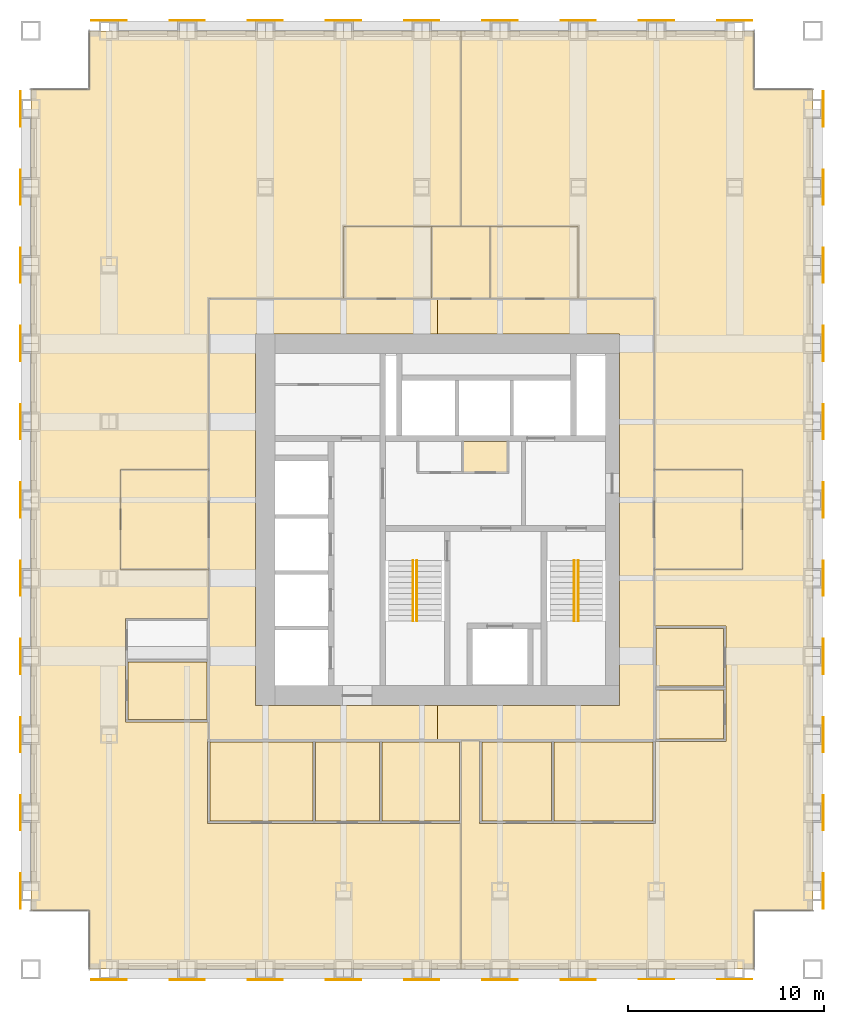
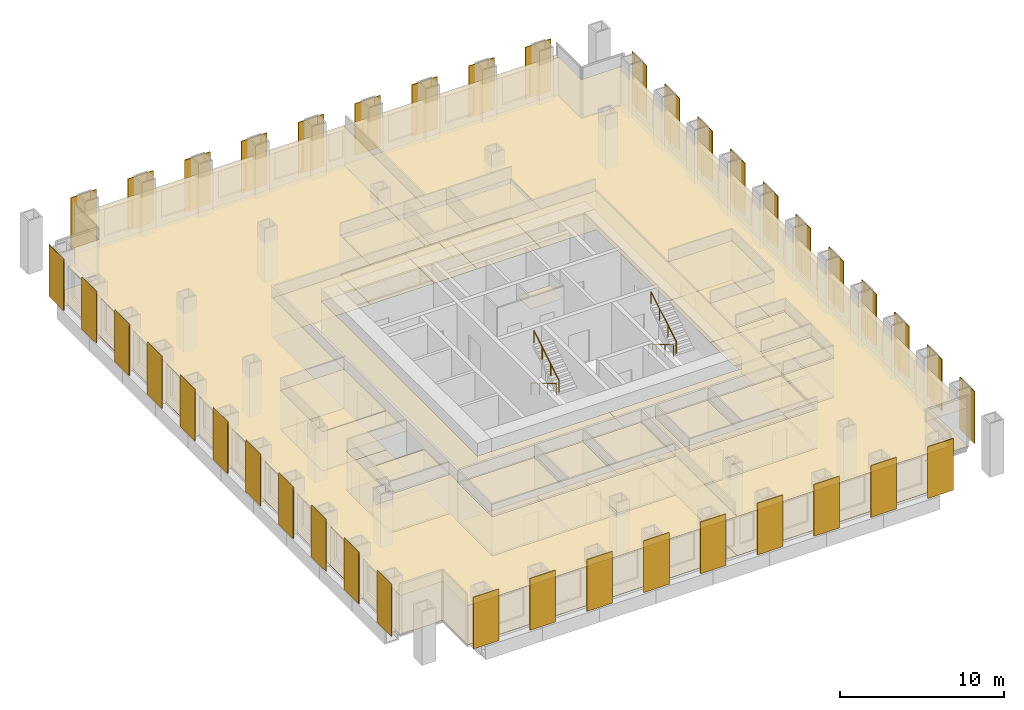
# One storey, part 12 of 12: 40 shading devices, 33 coverings, 4 railings.
"""IFC4 building model written with IfcOpenShell, lengths in metres."""

import ifcopenshell
import ifcopenshell.guid

model = None  # the IFC model being written
_history = None  # IfcOwnerHistory: only IFC2X3 demands one
_inside = {}  # id of a spatial element -> (the spatial element, [elements in it])
_under = {}  # id of a project, library or spatial element -> (it, [spatial elements below it])
_declared = {}  # id of a project -> (the project, [libraries it declares])
_typed = {}  # id of a type object -> (the type object, [elements of that type])
_made_of = {}  # id of a material, layer set ... -> (it, [elements and type objects made of it])


def new_model(schema):
    """Start an empty IFC model of exactly this schema.

    Asked for "IFC4X3", IfcOpenShell would pick the latest addendum, in which some entities
    have other attributes; the version numbers below select the first issue.
    IFC2X3 requires an IfcOwnerHistory on every rooted entity: one is made here for all.
    """
    global model, _history
    if schema == "IFC4X3":
        model = ifcopenshell.file(schema_version=(4, 3, 0, 0))
    else:
        model = ifcopenshell.file(schema=schema)
    _inside.clear()
    _under.clear()
    _declared.clear()
    _typed.clear()
    _made_of.clear()
    _history = None
    if model.schema == "IFC2X3":
        org = make("IfcOrganization", Name="unknown")
        user = make(
            "IfcPersonAndOrganization",
            ThePerson=make("IfcPerson", FamilyName="unknown"),
            TheOrganization=org,
        )
        app = make(
            "IfcApplication",
            ApplicationDeveloper=org,
            Version="unknown",
            ApplicationFullName="unknown",
            ApplicationIdentifier="unknown",
        )
        _history = make(
            "IfcOwnerHistory",
            OwningUser=user,
            OwningApplication=app,
            ChangeAction="ADDED",
            CreationDate=0,
        )
    return model


def make(cls, **values):
    """One entity of the class cls with the attributes given. An attribute that is None is left unset."""
    return model.create_entity(
        cls, **{name: value for name, value in values.items() if value is not None}
    )


def rooted(cls, **values):
    """An entity with a GlobalId (a new one), such as an element, a storey or a relation."""
    return make(cls, GlobalId=ifcopenshell.guid.new(), OwnerHistory=_history, **values)


def si_unit(unit_type, name, prefix=None):
    """IfcSIUnit, for example si_unit("LENGTHUNIT", "METRE", prefix="MILLI")."""
    return make("IfcSIUnit", UnitType=unit_type, Prefix=prefix, Name=name)


def assignment(units):
    """IfcUnitAssignment: the units of a project."""
    return None if units is None else make("IfcUnitAssignment", Units=units)


def point(xyz):
    """IfcCartesianPoint."""
    return None if xyz is None else make("IfcCartesianPoint", Coordinates=xyz)


def direction(xyz):
    """IfcDirection."""
    return None if xyz is None else make("IfcDirection", DirectionRatios=xyz)


def frame(location, z_axis=None, x_axis=None):
    """IfcAxis2Placement3D, a coordinate frame: its origin and axes. An axis left out is left unset."""
    return make(
        "IfcAxis2Placement3D",
        Location=point(location),
        Axis=direction(z_axis),
        RefDirection=direction(x_axis),
    )


def frame_2d(location, x_axis=None):
    """IfcAxis2Placement2D, a coordinate frame in the plane: its origin and x axis."""
    return make(
        "IfcAxis2Placement2D", Location=point(location), RefDirection=direction(x_axis)
    )


def origin():
    """The frame at (0, 0, 0) with its axes left unset."""
    return frame((0.0, 0.0, 0.0))


def origin_2d():
    """The frame at (0, 0) in the plane with its x axis left unset."""
    return frame_2d((0.0, 0.0))


def place(relative_to, where):
    """IfcLocalPlacement: puts the frame where relative to a parent placement (None: the world)."""
    return make(
        "IfcLocalPlacement", PlacementRelTo=relative_to, RelativePlacement=where
    )


def context(
    kind, dimensions, precision=None, world=None, true_north=None, identifier=None
):
    """IfcGeometricRepresentationContext, for example the 3D "Model" context."""
    return make(
        "IfcGeometricRepresentationContext",
        ContextIdentifier=identifier,
        ContextType=kind,
        CoordinateSpaceDimension=dimensions,
        Precision=precision,
        WorldCoordinateSystem=world,
        TrueNorth=true_north,
    )


def subcontext(parent, identifier, kind, view, scale=None):
    """IfcGeometricRepresentationSubContext, for example "Body" below "Model"."""
    return make(
        "IfcGeometricRepresentationSubContext",
        ContextIdentifier=identifier,
        ContextType=kind,
        ParentContext=parent,
        TargetScale=scale,
        TargetView=view,
    )


def project(units=None, contexts=None):
    """IfcProject with its units and contexts."""
    return rooted(
        "IfcProject",
        Name="project",
        RepresentationContexts=contexts,
        UnitsInContext=assignment(units),
    )


def spatial(cls, under=None, at=None, **own):
    """A site, building, storey or space (cls), placed at a placement, below another one or the project."""
    s = rooted(cls, ObjectPlacement=at, **own)
    if under is not None:
        _under.setdefault(under.id(), (under, []))[1].append(s)
    return s


def polyline(points):
    """IfcPolyline through the points."""
    return make("IfcPolyline", Points=[point(p) for p in points])


def profile(cls, at=None, kind="AREA", **sizes):
    """A parametric profile (cls). Its sizes go by their IFC names, for example OverallWidth=200.0."""
    return make(cls, ProfileType=kind, Position=at, **sizes)


def rectangle(**sizes):
    """IfcRectangleProfileDef."""
    return profile("IfcRectangleProfileDef", **sizes)


def circle(**sizes):
    """IfcCircleProfileDef."""
    return profile("IfcCircleProfileDef", **sizes)


def outline(outer, holes=None, kind="AREA"):
    """IfcArbitraryClosedProfileDef: a profile drawn as a closed curve; with holes, ...WithVoids."""
    if holes is None:
        return make("IfcArbitraryClosedProfileDef", ProfileType=kind, OuterCurve=outer)
    return make(
        "IfcArbitraryProfileDefWithVoids",
        ProfileType=kind,
        OuterCurve=outer,
        InnerCurves=holes,
    )


def extrude(swept, where, along, depth):
    """IfcExtrudedAreaSolid: the profile swept, set in the frame where, extruded along a direction by depth."""
    return make(
        "IfcExtrudedAreaSolid",
        SweptArea=swept,
        Position=where,
        ExtrudedDirection=direction(along),
        Depth=depth,
    )


def shape(context_of_items, identifier, shape_type, items):
    """IfcShapeRepresentation: the items that make up one representation, for example the "Body"."""
    return make(
        "IfcShapeRepresentation",
        ContextOfItems=context_of_items,
        RepresentationIdentifier=identifier,
        RepresentationType=shape_type,
        Items=items,
    )


def material(Name=None, Category=None):
    """IfcMaterial."""
    return make("IfcMaterial", Name=Name, Category=Category)


def layer(
    of_material, thickness, ventilated=None, Name=None, Category=None, Priority=None
):
    """IfcMaterialLayer: one layer of a wall or slab, of a material (None: an air gap)."""
    return make(
        "IfcMaterialLayer",
        Material=of_material,
        LayerThickness=thickness,
        IsVentilated=ventilated,
        Name=Name,
        Category=Category,
        Priority=Priority,
    )


def layer_set(layers, Name=None):
    """IfcMaterialLayerSet."""
    return make("IfcMaterialLayerSet", MaterialLayers=layers, LayerSetName=Name)


def made_of(thing, what):
    """Note that an element or type object is made of a material, layer set ...; save() writes the relation."""
    if what is not None:
        _made_of.setdefault(what.id(), (what, []))[1].append(thing)
    return thing


def type_object(cls, material=None, **own):
    """A type object (cls), such as IfcWallType, which elements share."""
    return made_of(rooted(cls, **own), material)


def element(
    cls,
    number,
    at=None,
    inside=None,
    cuts=None,
    type_object=None,
    material=None,
    context=None,
    identifier="Body",
    shape_type=None,
    held_by="IfcProductDefinitionShape",
    body=None,
    shapes=None,
    **own,
):
    """One element of the class cls, such as IfcWall. Its Tag is "e" and its number.

    at: its placement. inside: the storey or other place that contains it. cuts: it is an
    opening in that element (IfcRelVoidsElement). A single representation is given by context,
    identifier, shape_type and body (its items); several are given by shapes. held_by: the class
    of the entity that holds the representations. save() writes the other relations.
    """
    e = rooted(cls, Tag="e%d" % number, ObjectPlacement=at, **own)
    if body is not None:
        shapes = [shape(context, identifier, shape_type, body)]
    if shapes is not None:
        e.Representation = make(held_by, Representations=shapes)
    if inside is not None:
        _inside.setdefault(inside.id(), (inside, []))[1].append(e)
    if cuts is not None:
        rooted(
            "IfcRelVoidsElement", RelatingBuildingElement=cuts, RelatedOpeningElement=e
        )
    if type_object is not None:
        _typed.setdefault(type_object.id(), (type_object, []))[1].append(e)
    return made_of(e, material)


def aggregate(whole, parts):
    """IfcRelAggregates: a whole, such as a stair, and the parts it consists of."""
    return rooted("IfcRelAggregates", RelatingObject=whole, RelatedObjects=parts)


def save(model, path):
    """Write the relations noted so far, then the file.

    IfcRelAggregates (storeys below a building ...), IfcRelContainedInSpatialStructure (elements
    in a storey), IfcRelDefinesByType, IfcRelAssociatesMaterial and IfcRelDeclares: one each for
    every whole, place, type object, material and project.
    """
    for whole, parts in _under.values():
        aggregate(whole, parts)
    for where, things in _inside.values():
        rooted(
            "IfcRelContainedInSpatialStructure",
            RelatedElements=things,
            RelatingStructure=where,
        )
    for kind, things in _typed.values():
        rooted("IfcRelDefinesByType", RelatedObjects=things, RelatingType=kind)
    for what, things in _made_of.values():
        rooted("IfcRelAssociatesMaterial", RelatedObjects=things, RelatingMaterial=what)
    for by, libraries in _declared.values():
        rooted("IfcRelDeclares", RelatingContext=by, RelatedDefinitions=libraries)
    model.write(path)


model = new_model("IFC4")

# Units and contexts
model_context = context("Model", 3, precision=1e-05, world=origin(), true_north=direction((0.0, 1.0)))
body_context = subcontext(model_context, "Body", "Model", "MODEL_VIEW")
ifc_project = project(units=[si_unit("LENGTHUNIT", "METRE"), si_unit("AREAUNIT", "SQUARE_METRE"), si_unit("VOLUMEUNIT", "CUBIC_METRE"), si_unit("PLANEANGLEUNIT", "RADIAN"), si_unit("MASSUNIT", "GRAM", prefix="KILO")], contexts=[model_context])

# Site, building, storey
site_placement = place(None, origin())
site = spatial("IfcSite", under=ifc_project, at=site_placement, CompositionType="ELEMENT")
building_placement = place(site_placement, origin())
building = spatial("IfcBuilding", under=site, at=building_placement, Name="Rimbunsela Tower", CompositionType="ELEMENT")
storey_placement = place(building_placement, frame((0.0, 0.0, 151.800048828125)))
storey = spatial("IfcBuildingStorey", under=building, at=storey_placement, Name="L36", CompositionType="ELEMENT", Elevation=151.800048828125)

# Coverings
ifc_material_1 = material(Name="Nylon carpet tile", Category="textile")
ifc_layer_1 = layer(ifc_material_1, 0.010009765625)
ifc_layer_set_1 = layer_set([ifc_layer_1], Name="Carpet tile 10")
covering_type_1 = type_object("IfcCoveringType", Name="Carpet tile 10", PredefinedType="FLOORING", material=ifc_layer_set_1)
covering_1_placement = place(storey_placement, origin())
element("IfcCovering", 1, at=covering_1_placement, inside=storey, type_object=covering_type_1, Name="Floor finish Open office", PredefinedType="FLOORING", context=body_context, shape_type="SweptSolid", body=[
    extrude(outline(polyline([(20.550048828125, 11.449951171875), (23.85009765625, 11.449951171875), (23.949951171875, 11.449951171875), (27.9990234375, 11.449951171875), (27.9990234375, 4.0), (15.10009765625, 4.0), (9.0, 4.0), (9.0, 7.0), (6.0, 7.0), (6.0, 49.0), (9.0, 49.0), (9.0, 52.0), (15.10009765625, 52.0), (27.9990234375, 52.0), (27.9990234375, 42.0), (22.0, 42.0), (22.0, 38.300048828125), (15.10009765625, 38.300048828125), (15.10009765625, 29.550048828125), (10.60009765625, 29.550048828125), (10.60009765625, 24.449951171875), (15.10009765625, 24.449951171875), (15.10009765625, 21.949951171875), (10.85009765625, 21.949951171875), (10.85009765625, 19.85009765625), (10.85009765625, 19.75), (10.85009765625, 16.64990234375), (15.10009765625, 16.64990234375), (15.10009765625, 15.75), (15.050048828125, 15.75), (15.050048828125, 11.449951171875), (15.10009765625, 11.449951171875), (20.449951171875, 11.449951171875), (20.550048828125, 11.449951171875)])), origin(), (0.0, 0.0, 1.0), 0.010009765625),
])
covering_2_placement = place(storey_placement, origin())
element("IfcCovering", 2, at=covering_2_placement, inside=storey, type_object=covering_type_1, Name="Floor finish Open office", PredefinedType="FLOORING", context=body_context, shape_type="SweptSolid", body=[
    extrude(outline(polyline([(28.0009765625, 15.699951171875), (28.948974609375, 15.699951171875), (28.948974609375, 11.449951171875), (32.64892578125, 11.449951171875), (32.7490234375, 11.449951171875), (37.89990234375, 11.449951171875), (37.949951171875, 11.449951171875), (37.949951171875, 15.64990234375), (41.550048828125, 15.64990234375), (41.550048828125, 18.35009765625), (41.550048828125, 18.39990234375), (41.550048828125, 21.550048828125), (37.89990234375, 21.550048828125), (37.89990234375, 24.449951171875), (42.39990234375, 24.449951171875), (42.39990234375, 29.550048828125), (37.89990234375, 29.550048828125), (37.89990234375, 38.300048828125), (34.0, 38.300048828125), (34.0, 42.0), (28.0009765625, 42.0), (28.0009765625, 52.0), (37.89990234375, 52.0), (43.0, 52.0), (43.0, 49.0), (46.0, 49.0), (46.0, 7.0), (43.0, 7.0), (43.0, 4.0), (37.89990234375, 4.0), (28.0009765625, 4.0), (28.0009765625, 15.699951171875)])), origin(), (0.0, 0.0, 1.0), 0.010009765625),
])
covering_3_placement = place(storey_placement, origin())
element("IfcCovering", 3, at=covering_3_placement, inside=storey, type_object=covering_type_1, Name="Floor finish Reception", PredefinedType="FLOORING", context=body_context, shape_type="SweptSolid", body=[
    extrude(outline(polyline([(15.10009765625, 24.449951171875), (15.10009765625, 29.550048828125), (10.60009765625, 29.550048828125), (10.60009765625, 24.449951171875), (15.10009765625, 24.449951171875)])), origin(), (0.0, 0.0, 1.0), 0.010009765625),
])
covering_4_placement = place(storey_placement, origin())
element("IfcCovering", 4, at=covering_4_placement, inside=storey, type_object=covering_type_1, Name="Floor finish Reception", PredefinedType="FLOORING", context=body_context, shape_type="SweptSolid", body=[
    extrude(outline(polyline([(42.39990234375, 24.449951171875), (42.39990234375, 29.550048828125), (37.89990234375, 29.550048828125), (37.89990234375, 24.449951171875), (42.39990234375, 24.449951171875)])), origin(), (0.0, 0.0, 1.0), 0.010009765625),
])
covering_5_placement = place(storey_placement, origin())
element("IfcCovering", 5, at=covering_5_placement, inside=storey, type_object=covering_type_1, Name="Floor finish Meeting room", PredefinedType="FLOORING", context=body_context, shape_type="SweptSolid", body=[
    extrude(outline(polyline([(20.425048828125, 11.574951171875), (20.425048828125, 15.625), (15.175048828125, 15.625), (15.175048828125, 11.574951171875), (20.425048828125, 11.574951171875)])), origin(), (0.0, 0.0, 1.0), 0.010009765625),
])
covering_6_placement = place(storey_placement, origin())
element("IfcCovering", 6, at=covering_6_placement, inside=storey, type_object=covering_type_1, Name="Floor finish Pantry", PredefinedType="FLOORING", context=body_context, shape_type="SweptSolid", body=[
    extrude(outline(polyline([(23.824951171875, 11.574951171875), (23.824951171875, 15.625), (20.574951171875, 15.625), (20.574951171875, 11.574951171875), (23.824951171875, 11.574951171875)])), origin(), (0.0, 0.0, 1.0), 0.010009765625),
])
covering_7_placement = place(storey_placement, origin())
element("IfcCovering", 7, at=covering_7_placement, inside=storey, type_object=covering_type_1, Name="Floor finish Print and copy room", PredefinedType="FLOORING", context=body_context, shape_type="SweptSolid", body=[
    extrude(outline(polyline([(27.924072265625, 11.574951171875), (27.924072265625, 15.625), (23.97509765625, 15.625), (23.97509765625, 11.574951171875), (27.924072265625, 11.574951171875)])), origin(), (0.0, 0.0, 1.0), 0.010009765625),
])
covering_8_placement = place(storey_placement, origin())
element("IfcCovering", 8, at=covering_8_placement, inside=storey, type_object=covering_type_1, Name="Floor finish Office", PredefinedType="FLOORING", context=body_context, shape_type="SweptSolid", body=[
    extrude(outline(polyline([(15.02490234375, 16.77490234375), (15.02490234375, 19.72509765625), (10.97509765625, 19.72509765625), (10.97509765625, 16.77490234375), (15.02490234375, 16.77490234375)])), origin(), (0.0, 0.0, 1.0), 0.010009765625),
])
covering_9_placement = place(storey_placement, origin())
element("IfcCovering", 9, at=covering_9_placement, inside=storey, type_object=covering_type_1, Name="Floor finish Meeting room", PredefinedType="FLOORING", context=body_context, shape_type="SweptSolid", body=[
    extrude(outline(polyline([(32.6240234375, 11.574951171875), (32.6240234375, 15.625), (29.073974609375, 15.625), (29.073974609375, 11.574951171875), (32.6240234375, 11.574951171875)])), origin(), (0.0, 0.0, 1.0), 0.010009765625),
])
covering_10_placement = place(storey_placement, origin())
element("IfcCovering", 10, at=covering_10_placement, inside=storey, type_object=covering_type_1, Name="Floor finish Pantry", PredefinedType="FLOORING", context=body_context, shape_type="SweptSolid", body=[
    extrude(outline(polyline([(37.824951171875, 11.574951171875), (37.824951171875, 15.625), (32.77392578125, 15.625), (32.77392578125, 11.574951171875), (37.824951171875, 11.574951171875)])), origin(), (0.0, 0.0, 1.0), 0.010009765625),
])
covering_11_placement = place(storey_placement, origin())
element("IfcCovering", 11, at=covering_11_placement, inside=storey, type_object=covering_type_1, Name="Floor finish Print and copy room", PredefinedType="FLOORING", context=body_context, shape_type="SweptSolid", body=[
    extrude(outline(polyline([(41.425048828125, 15.77490234375), (41.425048828125, 18.27490234375), (37.97509765625, 18.27490234375), (37.97509765625, 15.77490234375), (41.425048828125, 15.77490234375)])), origin(), (0.0, 0.0, 1.0), 0.010009765625),
])
covering_12_placement = place(storey_placement, origin())
element("IfcCovering", 12, at=covering_12_placement, inside=storey, type_object=covering_type_1, Name="Floor finish Office", PredefinedType="FLOORING", context=body_context, shape_type="SweptSolid", body=[
    extrude(outline(polyline([(41.425048828125, 18.47509765625), (41.425048828125, 21.425048828125), (37.97509765625, 21.425048828125), (37.97509765625, 18.47509765625), (41.425048828125, 18.47509765625)])), origin(), (0.0, 0.0, 1.0), 0.010009765625),
])
ifc_material_2 = material(Name="Mineral fibre ceiling tile", Category="gypsum")
ifc_layer_2 = layer(ifc_material_2, 0.02001953125)
ifc_layer_set_2 = layer_set([ifc_layer_2], Name="Ceiling 600 grid")
covering_type_2 = type_object("IfcCoveringType", Name="Ceiling 600 grid", PredefinedType="CEILING", material=ifc_layer_set_2)
covering_13_placement = place(storey_placement, frame((0.0, 0.0, 2.89990234375)))
element("IfcCovering", 13, at=covering_13_placement, inside=storey, type_object=covering_type_2, Name="Ceiling IT room", PredefinedType="CEILING", context=body_context, shape_type="SweptSolid", body=[
    extrude(outline(polyline([(30.39990234375, 29.39990234375), (30.39990234375, 31.0), (28.10009765625, 31.0), (28.10009765625, 29.39990234375), (30.39990234375, 29.39990234375)])), origin(), (0.0, 0.0, 1.0), 0.02001953125),
])
covering_14_placement = place(storey_placement, frame((0.0, 0.0, 2.89990234375)))
element("IfcCovering", 14, at=covering_14_placement, inside=storey, type_object=covering_type_2, Name="Ceiling Ring corridor", PredefinedType="CEILING", context=body_context, shape_type="SweptSolid", body=[
    extrude(outline(polyline([(15.10009765625, 38.300048828125), (26.800048828125, 38.300048828125), (26.800048828125, 36.5), (17.5, 36.5), (17.5, 17.5), (26.800048828125, 17.5), (26.800048828125, 15.699951171875), (15.10009765625, 15.699951171875), (15.10009765625, 38.300048828125)])), origin(), (0.0, 0.0, 1.0), 0.02001953125),
])
covering_15_placement = place(storey_placement, frame((0.0, 0.0, 2.89990234375)))
element("IfcCovering", 15, at=covering_15_placement, inside=storey, type_object=covering_type_2, Name="Ceiling Ring corridor", PredefinedType="CEILING", context=body_context, shape_type="SweptSolid", body=[
    extrude(outline(polyline([(37.89990234375, 38.300048828125), (37.89990234375, 15.699951171875), (26.800048828125, 15.699951171875), (26.800048828125, 17.5), (36.10009765625, 17.5), (36.10009765625, 36.5), (26.800048828125, 36.5), (26.800048828125, 38.300048828125), (37.89990234375, 38.300048828125)])), origin(), (0.0, 0.0, 1.0), 0.02001953125),
])
covering_16_placement = place(storey_placement, frame((0.0, 0.0, 2.89990234375)))
element("IfcCovering", 16, at=covering_16_placement, inside=storey, type_object=covering_type_2, Name="Ceiling Open office", PredefinedType="CEILING", context=body_context, shape_type="SweptSolid", body=[
    extrude(outline(polyline([(20.550048828125, 11.449951171875), (23.85009765625, 11.449951171875), (23.949951171875, 11.449951171875), (27.9990234375, 11.449951171875), (27.9990234375, 4.0), (15.10009765625, 4.0), (9.0, 4.0), (9.0, 7.0), (6.0, 7.0), (6.0, 49.0), (9.0, 49.0), (9.0, 52.0), (15.10009765625, 52.0), (27.9990234375, 52.0), (27.9990234375, 42.0), (22.0, 42.0), (22.0, 38.300048828125), (15.10009765625, 38.300048828125), (15.10009765625, 29.550048828125), (10.60009765625, 29.550048828125), (10.60009765625, 24.449951171875), (15.10009765625, 24.449951171875), (15.10009765625, 21.949951171875), (10.85009765625, 21.949951171875), (10.85009765625, 19.85009765625), (10.85009765625, 19.75), (10.85009765625, 16.64990234375), (15.10009765625, 16.64990234375), (15.10009765625, 15.75), (15.050048828125, 15.75), (15.050048828125, 11.449951171875), (15.10009765625, 11.449951171875), (20.449951171875, 11.449951171875), (20.550048828125, 11.449951171875)])), origin(), (0.0, 0.0, 1.0), 0.02001953125),
])
covering_17_placement = place(storey_placement, frame((0.0, 0.0, 2.89990234375)))
element("IfcCovering", 17, at=covering_17_placement, inside=storey, type_object=covering_type_2, Name="Ceiling Open office", PredefinedType="CEILING", context=body_context, shape_type="SweptSolid", body=[
    extrude(outline(polyline([(28.0009765625, 15.699951171875), (28.948974609375, 15.699951171875), (28.948974609375, 11.449951171875), (32.64892578125, 11.449951171875), (32.7490234375, 11.449951171875), (37.89990234375, 11.449951171875), (37.949951171875, 11.449951171875), (37.949951171875, 15.64990234375), (41.550048828125, 15.64990234375), (41.550048828125, 18.35009765625), (41.550048828125, 18.39990234375), (41.550048828125, 21.550048828125), (37.89990234375, 21.550048828125), (37.89990234375, 24.449951171875), (42.39990234375, 24.449951171875), (42.39990234375, 29.550048828125), (37.89990234375, 29.550048828125), (37.89990234375, 38.300048828125), (34.0, 38.300048828125), (34.0, 42.0), (28.0009765625, 42.0), (28.0009765625, 52.0), (37.89990234375, 52.0), (43.0, 52.0), (43.0, 49.0), (46.0, 49.0), (46.0, 7.0), (43.0, 7.0), (43.0, 4.0), (37.89990234375, 4.0), (28.0009765625, 4.0), (28.0009765625, 15.699951171875)])), origin(), (0.0, 0.0, 1.0), 0.02001953125),
])
covering_18_placement = place(storey_placement, frame((0.0, 0.0, 2.89990234375)))
element("IfcCovering", 18, at=covering_18_placement, inside=storey, type_object=covering_type_2, Name="Ceiling Reception", PredefinedType="CEILING", context=body_context, shape_type="SweptSolid", body=[
    extrude(outline(polyline([(15.10009765625, 24.449951171875), (15.10009765625, 29.550048828125), (10.60009765625, 29.550048828125), (10.60009765625, 24.449951171875), (15.10009765625, 24.449951171875)])), origin(), (0.0, 0.0, 1.0), 0.02001953125),
])
covering_19_placement = place(storey_placement, frame((0.0, 0.0, 2.89990234375)))
element("IfcCovering", 19, at=covering_19_placement, inside=storey, type_object=covering_type_2, Name="Ceiling Reception", PredefinedType="CEILING", context=body_context, shape_type="SweptSolid", body=[
    extrude(outline(polyline([(42.39990234375, 24.449951171875), (42.39990234375, 29.550048828125), (37.89990234375, 29.550048828125), (37.89990234375, 24.449951171875), (42.39990234375, 24.449951171875)])), origin(), (0.0, 0.0, 1.0), 0.02001953125),
])
covering_20_placement = place(storey_placement, frame((0.0, 0.0, 2.89990234375)))
element("IfcCovering", 20, at=covering_20_placement, inside=storey, type_object=covering_type_2, Name="Ceiling Meeting room", PredefinedType="CEILING", context=body_context, shape_type="SweptSolid", body=[
    extrude(outline(polyline([(20.425048828125, 11.574951171875), (20.425048828125, 15.625), (15.175048828125, 15.625), (15.175048828125, 11.574951171875), (20.425048828125, 11.574951171875)])), origin(), (0.0, 0.0, 1.0), 0.02001953125),
])
covering_21_placement = place(storey_placement, frame((0.0, 0.0, 2.89990234375)))
element("IfcCovering", 21, at=covering_21_placement, inside=storey, type_object=covering_type_2, Name="Ceiling Pantry", PredefinedType="CEILING", context=body_context, shape_type="SweptSolid", body=[
    extrude(outline(polyline([(23.824951171875, 11.574951171875), (23.824951171875, 15.625), (20.574951171875, 15.625), (20.574951171875, 11.574951171875), (23.824951171875, 11.574951171875)])), origin(), (0.0, 0.0, 1.0), 0.02001953125),
])
covering_22_placement = place(storey_placement, frame((0.0, 0.0, 2.89990234375)))
element("IfcCovering", 22, at=covering_22_placement, inside=storey, type_object=covering_type_2, Name="Ceiling Print and copy room", PredefinedType="CEILING", context=body_context, shape_type="SweptSolid", body=[
    extrude(outline(polyline([(27.924072265625, 11.574951171875), (27.924072265625, 15.625), (23.97509765625, 15.625), (23.97509765625, 11.574951171875), (27.924072265625, 11.574951171875)])), origin(), (0.0, 0.0, 1.0), 0.02001953125),
])
covering_23_placement = place(storey_placement, frame((0.0, 0.0, 2.89990234375)))
element("IfcCovering", 23, at=covering_23_placement, inside=storey, type_object=covering_type_2, Name="Ceiling Office", PredefinedType="CEILING", context=body_context, shape_type="SweptSolid", body=[
    extrude(outline(polyline([(15.02490234375, 16.77490234375), (15.02490234375, 19.72509765625), (10.97509765625, 19.72509765625), (10.97509765625, 16.77490234375), (15.02490234375, 16.77490234375)])), origin(), (0.0, 0.0, 1.0), 0.02001953125),
])
covering_24_placement = place(storey_placement, frame((0.0, 0.0, 2.89990234375)))
element("IfcCovering", 24, at=covering_24_placement, inside=storey, type_object=covering_type_2, Name="Ceiling Meeting room", PredefinedType="CEILING", context=body_context, shape_type="SweptSolid", body=[
    extrude(outline(polyline([(32.6240234375, 11.574951171875), (32.6240234375, 15.625), (29.073974609375, 15.625), (29.073974609375, 11.574951171875), (32.6240234375, 11.574951171875)])), origin(), (0.0, 0.0, 1.0), 0.02001953125),
])
covering_25_placement = place(storey_placement, frame((0.0, 0.0, 2.89990234375)))
element("IfcCovering", 25, at=covering_25_placement, inside=storey, type_object=covering_type_2, Name="Ceiling Pantry", PredefinedType="CEILING", context=body_context, shape_type="SweptSolid", body=[
    extrude(outline(polyline([(37.824951171875, 11.574951171875), (37.824951171875, 15.625), (32.77392578125, 15.625), (32.77392578125, 11.574951171875), (37.824951171875, 11.574951171875)])), origin(), (0.0, 0.0, 1.0), 0.02001953125),
])
covering_26_placement = place(storey_placement, frame((0.0, 0.0, 2.89990234375)))
element("IfcCovering", 26, at=covering_26_placement, inside=storey, type_object=covering_type_2, Name="Ceiling Print and copy room", PredefinedType="CEILING", context=body_context, shape_type="SweptSolid", body=[
    extrude(outline(polyline([(41.425048828125, 15.77490234375), (41.425048828125, 18.27490234375), (37.97509765625, 18.27490234375), (37.97509765625, 15.77490234375), (41.425048828125, 15.77490234375)])), origin(), (0.0, 0.0, 1.0), 0.02001953125),
])
covering_27_placement = place(storey_placement, frame((0.0, 0.0, 2.89990234375)))
element("IfcCovering", 27, at=covering_27_placement, inside=storey, type_object=covering_type_2, Name="Ceiling Office", PredefinedType="CEILING", context=body_context, shape_type="SweptSolid", body=[
    extrude(outline(polyline([(41.425048828125, 18.47509765625), (41.425048828125, 21.425048828125), (37.97509765625, 21.425048828125), (37.97509765625, 18.47509765625), (41.425048828125, 18.47509765625)])), origin(), (0.0, 0.0, 1.0), 0.02001953125),
])
ifc_material_3 = material(Name="Moisture-resistant plasterboard ceiling", Category="gypsum")
ifc_layer_3 = layer(ifc_material_3, 0.012451171875)
ifc_layer_set_3 = layer_set([ifc_layer_3], Name="Ceiling moisture-resistant board")
covering_type_3 = type_object("IfcCoveringType", Name="Ceiling moisture-resistant board", PredefinedType="CEILING", material=ifc_layer_set_3)
covering_28_placement = place(storey_placement, frame((0.0, 0.0, 2.599853515625)))
element("IfcCovering", 28, at=covering_28_placement, inside=storey, type_object=covering_type_3, Name="Ceiling Female WC", PredefinedType="CEILING", context=body_context, shape_type="SweptSolid", body=[
    extrude(outline(polyline([(26.5, 38.300048828125), (26.5, 42.0), (22.0, 42.0), (22.0, 38.300048828125), (26.5, 38.300048828125)])), origin(), (0.0, 0.0, 1.0), 0.02001953125),
])
covering_29_placement = place(storey_placement, frame((0.0, 0.0, 2.599853515625)))
element("IfcCovering", 29, at=covering_29_placement, inside=storey, type_object=covering_type_3, Name="Ceiling Accessible WC", PredefinedType="CEILING", context=body_context, shape_type="SweptSolid", body=[
    extrude(outline(polyline([(29.5, 38.300048828125), (29.5, 42.0), (26.5, 42.0), (26.5, 38.300048828125), (29.5, 38.300048828125)])), origin(), (0.0, 0.0, 1.0), 0.02001953125),
])
covering_30_placement = place(storey_placement, frame((0.0, 0.0, 2.599853515625)))
element("IfcCovering", 30, at=covering_30_placement, inside=storey, type_object=covering_type_3, Name="Ceiling Male WC", PredefinedType="CEILING", context=body_context, shape_type="SweptSolid", body=[
    extrude(outline(polyline([(34.0, 38.300048828125), (34.0, 42.0), (29.5, 42.0), (29.5, 38.300048828125), (34.0, 38.300048828125)])), origin(), (0.0, 0.0, 1.0), 0.02001953125),
])
ifc_material_4 = material(Name="Porcelain floor tile in adhesive bed", Category="ceramic")
ifc_layer_4 = layer(ifc_material_4, 0.02001953125)
ifc_layer_set_4 = layer_set([ifc_layer_4], Name="Porcelain tile 20")
covering_type_4 = type_object("IfcCoveringType", Name="Porcelain tile 20", PredefinedType="FLOORING", material=ifc_layer_set_4)
covering_31_placement = place(storey_placement, origin())
element("IfcCovering", 31, at=covering_31_placement, inside=storey, type_object=covering_type_4, Name="Floor finish Female WC", PredefinedType="FLOORING", context=body_context, shape_type="SweptSolid", body=[
    extrude(outline(polyline([(26.5, 38.300048828125), (26.5, 42.0), (22.0, 42.0), (22.0, 38.300048828125), (26.5, 38.300048828125)])), origin(), (0.0, 0.0, 1.0), 0.02001953125),
])
covering_32_placement = place(storey_placement, origin())
element("IfcCovering", 32, at=covering_32_placement, inside=storey, type_object=covering_type_4, Name="Floor finish Accessible WC", PredefinedType="FLOORING", context=body_context, shape_type="SweptSolid", body=[
    extrude(outline(polyline([(29.5, 38.300048828125), (29.5, 42.0), (26.5, 42.0), (26.5, 38.300048828125), (29.5, 38.300048828125)])), origin(), (0.0, 0.0, 1.0), 0.02001953125),
])
covering_33_placement = place(storey_placement, origin())
element("IfcCovering", 33, at=covering_33_placement, inside=storey, type_object=covering_type_4, Name="Floor finish Male WC", PredefinedType="FLOORING", context=body_context, shape_type="SweptSolid", body=[
    extrude(outline(polyline([(34.0, 38.300048828125), (34.0, 42.0), (29.5, 42.0), (29.5, 38.300048828125), (34.0, 38.300048828125)])), origin(), (0.0, 0.0, 1.0), 0.02001953125),
])

# Shading devices
ifc_material_5 = material(Name="Perforated aluminium, 35 % open area", Category="aluminium")
ifc_layer_5 = layer(ifc_material_5, 0.050048828125)
ifc_layer_set_5 = layer_set([ifc_layer_5], Name="Solar screen panel 1800")
shading_device_type = type_object("IfcShadingDeviceType", Name="Solar screen panel 1800", PredefinedType="USERDEFINED", material=ifc_layer_set_5)
for number, where, z_axis, x_axis, name in (
    (34, (10.0, 3.47509765625, 0.0), (0.0, 0.0, 1.0), (1.0, 0.0, 0.0), "Solar screen S L36"),
    (35, (14.0, 3.47509765625, 0.0), (0.0, 0.0, 1.0), (1.0, 0.0, 0.0), "Solar screen S L36"),
    (36, (18.0, 3.47509765625, 0.0), (0.0, 0.0, 1.0), (1.0, 0.0, 0.0), "Solar screen S L36"),
    (37, (22.0, 3.47509765625, 0.0), (0.0, 0.0, 1.0), (1.0, 0.0, 0.0), "Solar screen S L36"),
    (38, (26.0, 3.47509765625, 0.0), (0.0, 0.0, 1.0), (1.0, 0.0, 0.0), "Solar screen S L36"),
    (39, (30.0, 3.47509765625, 0.0), (0.0, 0.0, 1.0), (1.0, 0.0, 0.0), "Solar screen S L36"),
    (40, (34.0, 3.47509765625, 0.0), (0.0, 0.0, 1.0), (1.0, 0.0, 0.0), "Solar screen S L36"),
    (41, (38.0, 3.47509765625, 0.0), (0.0, 0.0, 1.0), (1.0, 0.0, 0.0), "Solar screen S L36"),
    (42, (42.0, 3.47509765625, 0.0), (0.0, 0.0, 1.0), (1.0, 0.0, 0.0), "Solar screen S L36"),
    (43, (46.52490234375, 8.0, 0.0), (0.0, 0.0, 1.0), (0.0, 1.0, 0.0), "Solar screen E L36"),
    (44, (46.52490234375, 12.0, 0.0), (0.0, 0.0, 1.0), (0.0, 1.0, 0.0), "Solar screen E L36"),
    (45, (46.52490234375, 16.0, 0.0), (0.0, 0.0, 1.0), (0.0, 1.0, 0.0), "Solar screen E L36"),
    (46, (46.52490234375, 20.0, 0.0), (0.0, 0.0, 1.0), (0.0, 1.0, 0.0), "Solar screen E L36"),
    (47, (46.52490234375, 24.0, 0.0), (0.0, 0.0, 1.0), (0.0, 1.0, 0.0), "Solar screen E L36"),
    (48, (46.52490234375, 28.0, 0.0), (0.0, 0.0, 1.0), (0.0, 1.0, 0.0), "Solar screen E L36"),
    (49, (46.52490234375, 32.0, 0.0), (0.0, 0.0, 1.0), (0.0, 1.0, 0.0), "Solar screen E L36"),
    (50, (46.52490234375, 36.0, 0.0), (0.0, 0.0, 1.0), (0.0, 1.0, 0.0), "Solar screen E L36"),
    (51, (46.52490234375, 40.0, 0.0), (0.0, 0.0, 1.0), (0.0, 1.0, 0.0), "Solar screen E L36"),
    (52, (46.52490234375, 44.0, 0.0), (0.0, 0.0, 1.0), (0.0, 1.0, 0.0), "Solar screen E L36"),
    (53, (46.52490234375, 48.0, 0.0), (0.0, 0.0, 1.0), (0.0, 1.0, 0.0), "Solar screen E L36"),
    (54, (10.0, 52.52490234375, 0.0), (0.0, 0.0, 1.0), (1.0, 0.0, 0.0), "Solar screen N L36"),
    (55, (14.0, 52.52490234375, 0.0), (0.0, 0.0, 1.0), (1.0, 0.0, 0.0), "Solar screen N L36"),
    (56, (18.0, 52.52490234375, 0.0), (0.0, 0.0, 1.0), (1.0, 0.0, 0.0), "Solar screen N L36"),
    (57, (22.0, 52.52490234375, 0.0), (0.0, 0.0, 1.0), (1.0, 0.0, 0.0), "Solar screen N L36"),
    (58, (26.0, 52.52490234375, 0.0), (0.0, 0.0, 1.0), (1.0, 0.0, 0.0), "Solar screen N L36"),
    (59, (30.0, 52.52490234375, 0.0), (0.0, 0.0, 1.0), (1.0, 0.0, 0.0), "Solar screen N L36"),
    (60, (34.0, 52.52490234375, 0.0), (0.0, 0.0, 1.0), (1.0, 0.0, 0.0), "Solar screen N L36"),
    (61, (38.0, 52.52490234375, 0.0), (0.0, 0.0, 1.0), (1.0, 0.0, 0.0), "Solar screen N L36"),
    (62, (42.0, 52.52490234375, 0.0), (0.0, 0.0, 1.0), (1.0, 0.0, 0.0), "Solar screen N L36"),
    (63, (5.47509765625, 8.0, 0.0), (0.0, 0.0, 1.0), (0.0, 1.0, 0.0), "Solar screen W L36"),
    (64, (5.47509765625, 12.0, 0.0), (0.0, 0.0, 1.0), (0.0, 1.0, 0.0), "Solar screen W L36"),
    (65, (5.47509765625, 16.0, 0.0), (0.0, 0.0, 1.0), (0.0, 1.0, 0.0), "Solar screen W L36"),
    (66, (5.47509765625, 20.0, 0.0), (0.0, 0.0, 1.0), (0.0, 1.0, 0.0), "Solar screen W L36"),
    (67, (5.47509765625, 24.0, 0.0), (0.0, 0.0, 1.0), (0.0, 1.0, 0.0), "Solar screen W L36"),
    (68, (5.47509765625, 28.0, 0.0), (0.0, 0.0, 1.0), (0.0, 1.0, 0.0), "Solar screen W L36"),
    (69, (5.47509765625, 32.0, 0.0), (0.0, 0.0, 1.0), (0.0, 1.0, 0.0), "Solar screen W L36"),
    (70, (5.47509765625, 36.0, 0.0), (0.0, 0.0, 1.0), (0.0, 1.0, 0.0), "Solar screen W L36"),
    (71, (5.47509765625, 40.0, 0.0), (0.0, 0.0, 1.0), (0.0, 1.0, 0.0), "Solar screen W L36"),
    (72, (5.47509765625, 44.0, 0.0), (0.0, 0.0, 1.0), (0.0, 1.0, 0.0), "Solar screen W L36"),
    (73, (5.47509765625, 48.0, 0.0), (0.0, 0.0, 1.0), (0.0, 1.0, 0.0), "Solar screen W L36"),
):
    element("IfcShadingDevice", number, at=place(storey_placement, frame(where, z_axis=z_axis, x_axis=x_axis)), inside=storey, type_object=shading_device_type, Name=name, ObjectType="SCREEN", PredefinedType="USERDEFINED", context=body_context, shape_type="SweptSolid", body=[
        extrude(rectangle(XDim=1.800048828125, YDim=0.050048828125, at=origin_2d()), origin(), (0.0, 0.0, 1.0), 3.85009765625),
    ])

# Railings
ifc_material_6 = material(Name="Stainless steel tube", Category="steel")
railing_type = type_object("IfcRailingType", Name="Stair handrail 900", PredefinedType="HANDRAIL", material=ifc_material_6)
railing_1_placement = place(storey_placement, frame((25.550048828125, 24.89990234375, 0.16650390625)))
element("IfcRailing", 74, at=railing_1_placement, inside=storey, type_object=railing_type, Name="Handrail ST-A flight 1", PredefinedType="HANDRAIL", context=body_context, shape_type="SweptSolid", body=[
    extrude(circle(Radius=0.02392578125, at=origin_2d()), frame((0.0, 0.0, 0.8759765625), z_axis=(0.0, -0.859260807169, 0.511537745687), x_axis=(1.0, 0.0, 0.0)), (0.0, 0.0, 1.0), 3.584228515625),
    extrude(circle(Radius=0.02099609375, at=origin_2d()), origin(), (0.0, 0.0, 1.0), 0.851806640625),
    extrude(circle(Radius=0.02099609375, at=origin_2d()), frame((0.0, -1.026611328125, 0.611083984375)), (0.0, 0.0, 1.0), 0.851806640625),
    extrude(circle(Radius=0.02099609375, at=origin_2d()), frame((0.0, -2.05322265625, 1.222412109375)), (0.0, 0.0, 1.0), 0.851806640625),
    extrude(circle(Radius=0.02099609375, at=origin_2d()), frame((0.0, -3.079833984375, 1.83349609375)), (0.0, 0.0, 1.0), 0.851806640625),
])
railing_2_placement = place(storey_placement, frame((25.75, 21.820068359375, 2.16650390625)))
element("IfcRailing", 75, at=railing_2_placement, inside=storey, type_object=railing_type, Name="Handrail ST-A flight 2", PredefinedType="HANDRAIL", context=body_context, shape_type="SweptSolid", body=[
    extrude(circle(Radius=0.02392578125, at=origin_2d()), frame((0.0, 0.0, 0.8759765625), z_axis=(0.0, 0.859260807169, 0.511537745687), x_axis=(-1.0, 0.0, 0.0)), (0.0, 0.0, 1.0), 3.584228515625),
    extrude(circle(Radius=0.02099609375, at=origin_2d()), origin(), (0.0, 0.0, 1.0), 0.851806640625),
    extrude(circle(Radius=0.02099609375, at=origin_2d()), frame((0.0, 1.026611328125, 0.611083984375)), (0.0, 0.0, 1.0), 0.851806640625),
    extrude(circle(Radius=0.02099609375, at=origin_2d()), frame((0.0, 2.05322265625, 1.222412109375)), (0.0, 0.0, 1.0), 0.851806640625),
    extrude(circle(Radius=0.02099609375, at=origin_2d()), frame((0.0, 3.079833984375, 1.83349609375)), (0.0, 0.0, 1.0), 0.851806640625),
])
railing_3_placement = place(storey_placement, frame((33.800048828125, 24.89990234375, 0.16650390625)))
element("IfcRailing", 76, at=railing_3_placement, inside=storey, type_object=railing_type, Name="Handrail ST-B flight 1", PredefinedType="HANDRAIL", context=body_context, shape_type="SweptSolid", body=[
    extrude(circle(Radius=0.02392578125, at=origin_2d()), frame((0.0, 0.0, 0.8759765625), z_axis=(0.0, -0.859260807169, 0.511537745687), x_axis=(1.0, 0.0, 0.0)), (0.0, 0.0, 1.0), 3.584228515625),
    extrude(circle(Radius=0.02099609375, at=origin_2d()), origin(), (0.0, 0.0, 1.0), 0.851806640625),
    extrude(circle(Radius=0.02099609375, at=origin_2d()), frame((0.0, -1.026611328125, 0.611083984375)), (0.0, 0.0, 1.0), 0.851806640625),
    extrude(circle(Radius=0.02099609375, at=origin_2d()), frame((0.0, -2.05322265625, 1.222412109375)), (0.0, 0.0, 1.0), 0.851806640625),
    extrude(circle(Radius=0.02099609375, at=origin_2d()), frame((0.0, -3.079833984375, 1.83349609375)), (0.0, 0.0, 1.0), 0.851806640625),
])
railing_4_placement = place(storey_placement, frame((34.0, 21.820068359375, 2.16650390625)))
element("IfcRailing", 77, at=railing_4_placement, inside=storey, type_object=railing_type, Name="Handrail ST-B flight 2", PredefinedType="HANDRAIL", context=body_context, shape_type="SweptSolid", body=[
    extrude(circle(Radius=0.02392578125, at=origin_2d()), frame((0.0, 0.0, 0.8759765625), z_axis=(0.0, 0.859260807169, 0.511537745687), x_axis=(-1.0, 0.0, 0.0)), (0.0, 0.0, 1.0), 3.584228515625),
    extrude(circle(Radius=0.02099609375, at=origin_2d()), origin(), (0.0, 0.0, 1.0), 0.851806640625),
    extrude(circle(Radius=0.02099609375, at=origin_2d()), frame((0.0, 1.026611328125, 0.611083984375)), (0.0, 0.0, 1.0), 0.851806640625),
    extrude(circle(Radius=0.02099609375, at=origin_2d()), frame((0.0, 2.05322265625, 1.222412109375)), (0.0, 0.0, 1.0), 0.851806640625),
    extrude(circle(Radius=0.02099609375, at=origin_2d()), frame((0.0, 3.079833984375, 1.83349609375)), (0.0, 0.0, 1.0), 0.851806640625),
])

save(model, "model.ifc")
